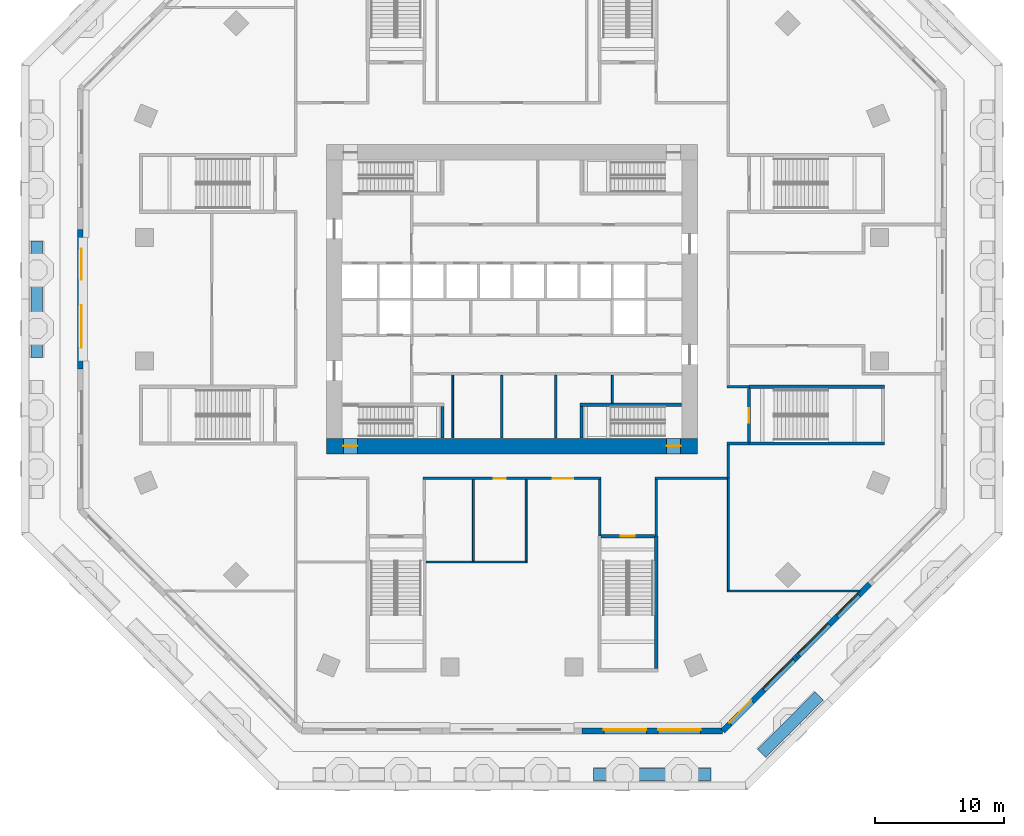
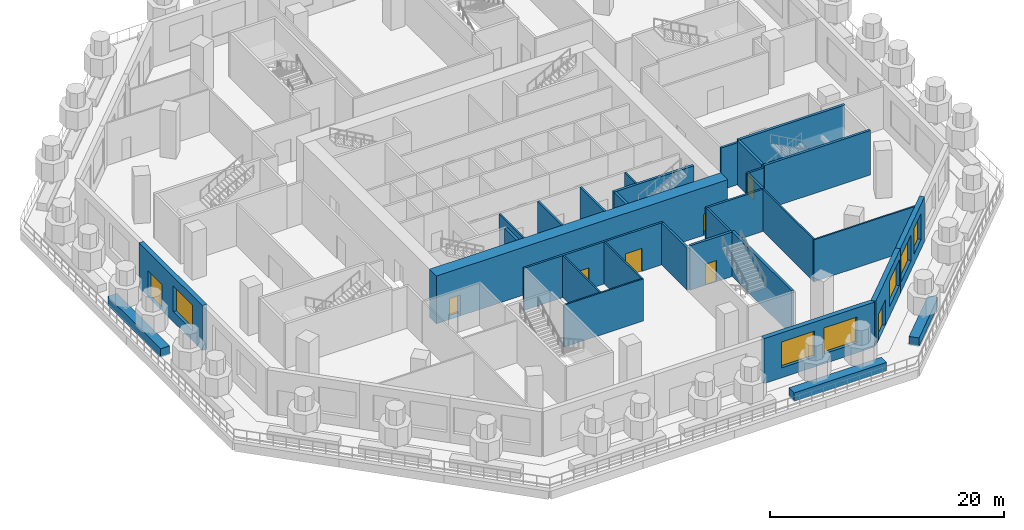
# One storey, part 4 of 13: 32 walls, 8 doors, 6 windows, 14 openings.
"""IFC4 building model written with IfcOpenShell, lengths in metres."""

from ifc_helpers import new_model, si_unit, direction, frame, frame_2d, origin, place, context, subcontext, project, spatial, rectangle, extrude, material, layer, layer_set, type_object, element, fill, save


model = new_model("IFC4")

# Units and contexts
model_context = context("Model", 3, precision=1e-05, world=origin(), true_north=direction((0.0, 1.0)))
body_context = subcontext(model_context, "Body", "Model", "MODEL_VIEW")
ifc_project = project(units=[si_unit("LENGTHUNIT", "METRE"), si_unit("AREAUNIT", "SQUARE_METRE"), si_unit("VOLUMEUNIT", "CUBIC_METRE"), si_unit("PLANEANGLEUNIT", "RADIAN"), si_unit("MASSUNIT", "GRAM", prefix="KILO")], contexts=[model_context])

# Site, building, storey
site_placement = place(None, origin())
site = spatial("IfcSite", under=ifc_project, at=site_placement, CompositionType="ELEMENT")
building_placement = place(site_placement, origin())
building = spatial("IfcBuilding", under=site, at=building_placement, Name="Msitu Wima Residences", CompositionType="ELEMENT")
storey_placement = place(building_placement, frame((0.0, 0.0, 16.0)))
storey = spatial("IfcBuildingStorey", under=building, at=storey_placement, Name="L03", CompositionType="ELEMENT", Elevation=16.0)

# Wall, openings, door, window
ifc_material_1 = material(Name="Brick (red buff mix), cavity wall of two leaves", Category="masonry")
ifc_layer_1 = layer(ifc_material_1, 0.449951171875)
ifc_layer_set_1 = layer_set([ifc_layer_1], Name="Brick (red buff mix), cavity wall of two leaves")
wall_type_1 = type_object("IfcWallType", Name="Brick infill wall BW450 podium", PredefinedType="ELEMENTEDWALL", material=ifc_layer_set_1)
wall_1_placement = place(storey_placement, frame((-33.52490234375, 5.42138671875, 0.0), z_axis=(0.0, 0.0, 1.0), x_axis=(0.0, -1.0, 0.0)))
wall_1 = element("IfcWall", 1, at=wall_1_placement, inside=storey, type_object=wall_type_1, Name="Brick infill wall L03 W1", PredefinedType="ELEMENTEDWALL", context=body_context, shape_type="SweptSolid", body=[
    extrude(rectangle(XDim=10.8427734375, YDim=0.449951171875, at=frame_2d((5.42138671875, 0.0))), origin(), (0.0, 0.0, 1.0), 4.699951171875),
])
opening_1_placement = place(wall_1_placement, frame((1.5107421875, 0.0, 0.0)))
opening_1 = element("IfcOpeningElement", 2, at=opening_1_placement, cuts=wall_1, Name="Opening D03.008", PredefinedType="OPENING", context=body_context, shape_type="SweptSolid", body=[
    extrude(rectangle(XDim=2.39990234375, YDim=2.699951171875, at=frame_2d((1.199951171875, 1.35009765625))), frame((0.0, 0.23486328125, 0.0), z_axis=(0.0, -1.0, 0.0), x_axis=(1.0, 0.0, 0.0)), (0.0, 0.0, 1.0), 0.469970703125),
])
opening_2_placement = place(wall_1_placement, frame((5.871337890625, 0.0, 1.050048828125)))
opening_2 = element("IfcOpeningElement", 3, at=opening_2_placement, cuts=wall_1, Name="Opening W03.038", PredefinedType="OPENING", context=body_context, shape_type="SweptSolid", body=[
    extrude(rectangle(XDim=3.300048828125, YDim=2.699951171875, at=frame_2d((1.64990234375, 1.35009765625))), frame((0.0, 0.23486328125, 0.0), z_axis=(0.0, -1.0, 0.0), x_axis=(1.0, 0.0, 0.0)), (0.0, 0.0, 1.0), 0.469970703125),
])
ifc_material_2 = material(Name="Anodised aluminium, bronze finish, clear low-emissivity double glazing", Category="aluminium")
door_type_1 = type_object("IfcDoorType", Name="Balcony door D2400x2700", OperationType="SLIDING_TO_LEFT", PredefinedType="DOOR", material=ifc_material_2)
door_1_placement = place(opening_1_placement, origin())
door_1 = element("IfcDoor", 4, at=door_1_placement, inside=storey, type_object=door_type_1, Name="Terrace door L03 W1", OperationType="SINGLE_SWING_LEFT", OverallHeight=2.699951171875, OverallWidth=2.39990234375, PredefinedType="DOOR", context=body_context, shape_type="SweptSolid", body=[
    extrude(rectangle(XDim=2.39990234375, YDim=2.699951171875, at=frame_2d((1.199951171875, 1.35009765625))), frame((0.0, 0.1298828125, 0.0), z_axis=(0.0, -1.0, 0.0), x_axis=(1.0, 0.0, 0.0)), (0.0, 0.0, 1.0), 0.050048828125),
])
fill(opening_1, door_1)
window_type_1 = type_object("IfcWindowType", Name="Window W3300x2700", PartitioningType="DOUBLE_PANEL_VERTICAL", PredefinedType="WINDOW", material=ifc_material_2)
window_1_placement = place(opening_2_placement, origin())
window_1 = element("IfcWindow", 5, at=window_1_placement, inside=storey, type_object=window_type_1, Name="Window L03 W1.2", OverallHeight=2.699951171875, OverallWidth=3.300048828125, PartitioningType="SINGLE_PANEL", PredefinedType="WINDOW", context=body_context, shape_type="SweptSolid", body=[
    extrude(rectangle(XDim=3.300048828125, YDim=2.699951171875, at=frame_2d((1.64990234375, 1.35009765625))), frame((0.0, 0.135009765625, 0.0), z_axis=(0.0, -1.0, 0.0), x_axis=(1.0, 0.0, 0.0)), (0.0, 0.0, 1.0), 0.06005859375),
])
fill(opening_2, window_1)

# Wall, openings, windows
wall_2_placement = place(storey_placement, frame((5.42138671875, -33.52490234375, 0.0), z_axis=(0.0, 0.0, 1.0), x_axis=(1.0, 0.0, 0.0)))
wall_2 = element("IfcWall", 6, at=wall_2_placement, inside=storey, type_object=wall_type_1, Name="Brick infill wall L03 S2", PredefinedType="ELEMENTEDWALL", context=body_context, shape_type="SweptSolid", body=[
    extrude(rectangle(XDim=10.935791015625, YDim=0.449951171875, at=frame_2d((5.4677734375, 0.0))), origin(), (0.0, 0.0, 1.0), 4.699951171875),
])
opening_3_placement = place(wall_2_placement, frame((1.718017578125, 0.0, 1.050048828125)))
opening_3 = element("IfcOpeningElement", 7, at=opening_3_placement, cuts=wall_2, Name="Opening W03.024", PredefinedType="OPENING", context=body_context, shape_type="SweptSolid", body=[
    extrude(rectangle(XDim=3.300048828125, YDim=2.699951171875, at=frame_2d((1.64990234375, 1.35009765625))), frame((0.0, 0.23486328125, 0.0), z_axis=(0.0, -1.0, 0.0), x_axis=(1.0, 0.0, 0.0)), (0.0, 0.0, 1.0), 0.469970703125),
])
opening_4_placement = place(wall_2_placement, frame((5.91796875, 0.0, 1.050048828125)))
opening_4 = element("IfcOpeningElement", 8, at=opening_4_placement, cuts=wall_2, Name="Opening W03.025", PredefinedType="OPENING", context=body_context, shape_type="SweptSolid", body=[
    extrude(rectangle(XDim=3.300048828125, YDim=2.699951171875, at=frame_2d((1.64990234375, 1.35009765625))), frame((0.0, 0.23486328125, 0.0), z_axis=(0.0, -1.0, 0.0), x_axis=(1.0, 0.0, 0.0)), (0.0, 0.0, 1.0), 0.469970703125),
])
window_2_placement = place(opening_3_placement, origin())
window_2 = element("IfcWindow", 9, at=window_2_placement, inside=storey, type_object=window_type_1, Name="Window L03 S2.1", OverallHeight=2.699951171875, OverallWidth=3.300048828125, PartitioningType="SINGLE_PANEL", PredefinedType="WINDOW", context=body_context, shape_type="SweptSolid", body=[
    extrude(rectangle(XDim=3.300048828125, YDim=2.699951171875, at=frame_2d((1.64990234375, 1.35009765625))), frame((0.0, 0.135009765625, 0.0), z_axis=(0.0, -1.0, 0.0), x_axis=(1.0, 0.0, 0.0)), (0.0, 0.0, 1.0), 0.06005859375),
])
fill(opening_3, window_2)
window_3_placement = place(opening_4_placement, origin())
window_3 = element("IfcWindow", 10, at=window_3_placement, inside=storey, type_object=window_type_1, Name="Window L03 S2.2", OverallHeight=2.699951171875, OverallWidth=3.300048828125, PartitioningType="SINGLE_PANEL", PredefinedType="WINDOW", context=body_context, shape_type="SweptSolid", body=[
    extrude(rectangle(XDim=3.300048828125, YDim=2.699951171875, at=frame_2d((1.64990234375, 1.35009765625))), frame((0.0, 0.135009765625, 0.0), z_axis=(0.0, -1.0, 0.0), x_axis=(1.0, 0.0, 0.0)), (0.0, 0.0, 1.0), 0.06005859375),
])
fill(opening_4, window_3)

# Wall, openings, door, window
wall_3_placement = place(storey_placement, frame((16.357177734375, -33.52490234375, 0.0), z_axis=(0.0, 0.0, 1.0), x_axis=(0.70712180699, 0.707091755064, 0.0)))
wall_3 = element("IfcWall", 11, at=wall_3_placement, inside=storey, type_object=wall_type_1, Name="Brick infill wall L03 SE0", PredefinedType="ELEMENTEDWALL", context=body_context, shape_type="SweptSolid", body=[
    extrude(rectangle(XDim=8.1240234375, YDim=0.449951171875, at=frame_2d((4.06201171875, 0.0))), origin(), (0.0, 0.0, 1.0), 4.699951171875),
])
opening_5_placement = place(wall_3_placement, frame((0.8310546875, 0.0, 0.0)))
opening_5 = element("IfcOpeningElement", 12, at=opening_5_placement, cuts=wall_3, Name="Opening D03.006", PredefinedType="OPENING", context=body_context, shape_type="SweptSolid", body=[
    extrude(rectangle(XDim=2.39990234375, YDim=2.699951171875, at=frame_2d((1.199951171875, 1.35009765625))), frame((0.0, 0.23486328125, 0.0), z_axis=(0.0, -1.0, 0.0), x_axis=(1.0, 0.0, 0.0)), (0.0, 0.0, 1.0), 0.469970703125),
])
opening_6_placement = place(wall_3_placement, frame((4.511962890625, 0.0, 1.050048828125)))
opening_6 = element("IfcOpeningElement", 13, at=opening_6_placement, cuts=wall_3, Name="Opening W03.026", PredefinedType="OPENING", context=body_context, shape_type="SweptSolid", body=[
    extrude(rectangle(XDim=3.300048828125, YDim=2.699951171875, at=frame_2d((1.64990234375, 1.35009765625))), frame((0.0, 0.23486328125, 0.0), z_axis=(0.0, -1.0, 0.0), x_axis=(1.0, 0.0, 0.0)), (0.0, 0.0, 1.0), 0.469970703125),
])
door_2_placement = place(opening_5_placement, origin())
door_2 = element("IfcDoor", 14, at=door_2_placement, inside=storey, type_object=door_type_1, Name="Terrace door L03 SE0", OperationType="SINGLE_SWING_LEFT", OverallHeight=2.699951171875, OverallWidth=2.39990234375, PredefinedType="DOOR", context=body_context, shape_type="SweptSolid", body=[
    extrude(rectangle(XDim=2.39990234375, YDim=2.699951171875, at=frame_2d((1.199951171875, 1.35009765625))), frame((0.0, 0.1298828125, 0.0), z_axis=(0.0, -1.0, 0.0), x_axis=(1.0, 0.0, 0.0)), (0.0, 0.0, 1.0), 0.050048828125),
])
fill(opening_5, door_2)
window_4_placement = place(opening_6_placement, origin())
window_4 = element("IfcWindow", 15, at=window_4_placement, inside=storey, type_object=window_type_1, Name="Window L03 SE0.2", OverallHeight=2.699951171875, OverallWidth=3.300048828125, PartitioningType="SINGLE_PANEL", PredefinedType="WINDOW", context=body_context, shape_type="SweptSolid", body=[
    extrude(rectangle(XDim=3.300048828125, YDim=2.699951171875, at=frame_2d((1.64990234375, 1.35009765625))), frame((0.0, 0.135009765625, 0.0), z_axis=(0.0, -1.0, 0.0), x_axis=(1.0, 0.0, 0.0)), (0.0, 0.0, 1.0), 0.06005859375),
])
fill(opening_6, window_4)

# Wall, openings, windows
wall_4_placement = place(storey_placement, frame((22.101806640625, -27.780517578125, 0.0), z_axis=(0.0, 0.0, 1.0), x_axis=(0.707106781187, 0.707106781187, 0.0)))
wall_4 = element("IfcWall", 16, at=wall_4_placement, inside=storey, type_object=wall_type_1, Name="Brick infill wall L03 SE1", PredefinedType="ELEMENTEDWALL", context=body_context, shape_type="SweptSolid", body=[
    extrude(rectangle(XDim=8.031005859375, YDim=0.449951171875, at=frame_2d((4.015625, 0.0))), origin(), (0.0, 0.0, 1.0), 4.699951171875),
])
opening_7_placement = place(wall_4_placement, frame((0.265380859375, 0.0, 1.050048828125)))
opening_7 = element("IfcOpeningElement", 17, at=opening_7_placement, cuts=wall_4, Name="Opening W03.027", PredefinedType="OPENING", context=body_context, shape_type="SweptSolid", body=[
    extrude(rectangle(XDim=3.300048828125, YDim=2.699951171875, at=frame_2d((1.64990234375, 1.35009765625))), frame((0.0, 0.23486328125, 0.0), z_axis=(0.0, -1.0, 0.0), x_axis=(1.0, 0.0, 0.0)), (0.0, 0.0, 1.0), 0.469970703125),
])
opening_8_placement = place(wall_4_placement, frame((4.46533203125, 0.0, 1.050048828125)))
opening_8 = element("IfcOpeningElement", 18, at=opening_8_placement, cuts=wall_4, Name="Opening W03.028", PredefinedType="OPENING", context=body_context, shape_type="SweptSolid", body=[
    extrude(rectangle(XDim=2.360107421875, YDim=2.699951171875, at=frame_2d((1.18017578125, 1.35009765625))), frame((0.0, 0.23486328125, 0.0), z_axis=(0.0, -1.0, 0.0), x_axis=(1.0, 0.0, 0.0)), (0.0, 0.0, 1.0), 0.469970703125),
])
window_type_2 = type_object("IfcWindowType", Name="Window W2360x2700", PartitioningType="DOUBLE_PANEL_VERTICAL", PredefinedType="WINDOW", material=ifc_material_2)
window_5_placement = place(opening_8_placement, origin())
window_5 = element("IfcWindow", 19, at=window_5_placement, inside=storey, type_object=window_type_2, Name="Window L03 SE1.2a", OverallHeight=2.699951171875, OverallWidth=2.360107421875, PartitioningType="SINGLE_PANEL", PredefinedType="WINDOW", context=body_context, shape_type="SweptSolid", body=[
    extrude(rectangle(XDim=2.360107421875, YDim=2.699951171875, at=frame_2d((1.18017578125, 1.35009765625))), frame((0.0, 0.135009765625, 0.0), z_axis=(0.0, -1.0, 0.0), x_axis=(1.0, 0.0, 0.0)), (0.0, 0.0, 1.0), 0.06005859375),
])
fill(opening_8, window_5)
window_6_placement = place(opening_7_placement, origin())
window_6 = element("IfcWindow", 20, at=window_6_placement, inside=storey, type_object=window_type_1, Name="Window L03 SE1.1", OverallHeight=2.699951171875, OverallWidth=3.300048828125, PartitioningType="SINGLE_PANEL", PredefinedType="WINDOW", context=body_context, shape_type="SweptSolid", body=[
    extrude(rectangle(XDim=3.300048828125, YDim=2.699951171875, at=frame_2d((1.64990234375, 1.35009765625))), frame((0.0, 0.135009765625, 0.0), z_axis=(0.0, -1.0, 0.0), x_axis=(1.0, 0.0, 0.0)), (0.0, 0.0, 1.0), 0.06005859375),
])
fill(opening_7, window_6)

# Wall, openings, doors
ifc_material_3 = material(Name="Concrete C80/95", Category="concrete")
ifc_layer_2 = layer(ifc_material_3, 1.199951171875)
ifc_layer_set_2 = layer_set([ifc_layer_2], Name="Concrete C80/95")
wall_type_2 = type_object("IfcWallType", Name="Core wall CW1200 C80/95", PredefinedType="SHEAR", material=ifc_layer_set_2)
wall_5_placement = place(storey_placement, frame((-14.39990234375, -11.39990234375, 0.0), z_axis=(0.0, 0.0, 1.0), x_axis=(1.0, 0.0, 0.0)))
wall_5 = element("IfcWall", 21, at=wall_5_placement, inside=storey, type_object=wall_type_2, Name="Core wall", PredefinedType="SHEAR", context=body_context, shape_type="SweptSolid", body=[
    extrude(rectangle(XDim=28.7998046875, YDim=1.199951171875, at=frame_2d((14.39990234375, 0.0))), origin(), (0.0, 0.0, 1.0), 5.0),
])
opening_9_placement = place(wall_5_placement, frame((1.300048828125, 0.0, 0.0)))
opening_9 = element("IfcOpeningElement", 22, at=opening_9_placement, cuts=wall_5, Name="Opening D03.053", PredefinedType="OPENING", context=body_context, shape_type="SweptSolid", body=[
    extrude(rectangle(XDim=1.10009765625, YDim=2.199951171875, at=frame_2d((0.550048828125, 1.10009765625))), frame((0.0, 0.60986328125, 0.0), z_axis=(0.0, -1.0, 0.0), x_axis=(1.0, 0.0, 0.0)), (0.0, 0.0, 1.0), 1.219970703125),
])
opening_10_placement = place(wall_5_placement, frame((26.39990234375, 0.0, 0.0)))
opening_10 = element("IfcOpeningElement", 23, at=opening_10_placement, cuts=wall_5, Name="Opening D03.055", PredefinedType="OPENING", context=body_context, shape_type="SweptSolid", body=[
    extrude(rectangle(XDim=1.10009765625, YDim=2.199951171875, at=frame_2d((0.550048828125, 1.10009765625))), frame((0.0, 0.60986328125, 0.0), z_axis=(0.0, -1.0, 0.0), x_axis=(1.0, 0.0, 0.0)), (0.0, 0.0, 1.0), 1.219970703125),
])
ifc_material_4 = material(Name="Steel door, fire resisting, panic bar", Category="steel")
door_type_2 = type_object("IfcDoorType", Name="Stair door D06 1100x2200", OperationType="SINGLE_SWING_LEFT", PredefinedType="DOOR", material=ifc_material_4)
door_3_placement = place(opening_9_placement, origin())
door_3 = element("IfcDoor", 24, at=door_3_placement, inside=storey, type_object=door_type_2, Name="Stair door", OperationType="SINGLE_SWING_LEFT", OverallHeight=2.199951171875, OverallWidth=1.10009765625, PredefinedType="DOOR", context=body_context, shape_type="SweptSolid", body=[
    extrude(rectangle(XDim=1.10009765625, YDim=2.199951171875, at=frame_2d((0.550048828125, 1.10009765625))), frame((0.0, 0.02490234375, 0.0), z_axis=(0.0, -1.0, 0.0), x_axis=(1.0, 0.0, 0.0)), (0.0, 0.0, 1.0), 0.050048828125),
])
fill(opening_9, door_3)
door_4_placement = place(opening_10_placement, origin())
door_4 = element("IfcDoor", 25, at=door_4_placement, inside=storey, type_object=door_type_2, Name="Stair door", OperationType="SINGLE_SWING_RIGHT", OverallHeight=2.199951171875, OverallWidth=1.10009765625, PredefinedType="DOOR", context=body_context, shape_type="SweptSolid", body=[
    extrude(rectangle(XDim=1.10009765625, YDim=2.199951171875, at=frame_2d((0.550048828125, 1.10009765625))), frame((0.0, 0.02490234375, 0.0), z_axis=(0.0, -1.0, 0.0), x_axis=(1.0, 0.0, 0.0)), (0.0, 0.0, 1.0), 0.050048828125),
])
fill(opening_10, door_4)

ifc_material_5 = material(Name="Plaster")
ifc_layer_3 = layer(ifc_material_5, 0.011962890625, Name="Plaster")
ifc_material_6 = material(Name="Concrete blockwork", Category="masonry")
ifc_layer_4 = layer(ifc_material_6, 0.176025390625, Name="Concrete blockwork")
ifc_layer_5 = layer(ifc_material_5, 0.011962890625, Name="Plaster")
ifc_layer_set_3 = layer_set([ifc_layer_3, ifc_layer_4, ifc_layer_5], Name="Concrete blockwork")
wall_type_3 = type_object("IfcWallType", Name="Corridor wall FW200", PredefinedType="PARTITIONING", material=ifc_layer_set_3)
wall_6_placement = place(storey_placement, frame((-6.89990234375, -13.91357421875, 0.0), z_axis=(0.0, 0.0, 1.0), x_axis=(1.0, 0.0, 0.0)))
wall_6 = element("IfcWall", 26, at=wall_6_placement, inside=storey, type_object=wall_type_3, Name="Corridor wall", PredefinedType="PARTITIONING", context=body_context, shape_type="SweptSolid", body=[
    extrude(rectangle(XDim=13.7998046875, YDim=0.199951171875, at=frame_2d((6.89990234375, 0.0))), origin(), (0.0, 0.0, 1.0), 4.39990234375),
])
opening_11_placement = place(wall_6_placement, frame((5.5, 0.0, 0.0)))
opening_11 = element("IfcOpeningElement", 27, at=opening_11_placement, cuts=wall_6, Name="Opening D03.038", PredefinedType="OPENING", context=body_context, shape_type="SweptSolid", body=[
    extrude(rectangle(XDim=0.89990234375, YDim=2.199951171875, at=frame_2d((0.449951171875, 1.10009765625))), frame((0.0, 0.10986328125, 0.0), z_axis=(0.0, -1.0, 0.0), x_axis=(1.0, 0.0, 0.0)), (0.0, 0.0, 1.0), 0.219970703125),
])
opening_12_placement = place(wall_6_placement, frame((10.050048828125, 0.0, 0.0)))
opening_12 = element("IfcOpeningElement", 28, at=opening_12_placement, cuts=wall_6, Name="Opening D03.039", PredefinedType="OPENING", context=body_context, shape_type="SweptSolid", body=[
    extrude(rectangle(XDim=1.60009765625, YDim=2.39990234375, at=frame_2d((0.800048828125, 1.199951171875))), frame((0.0, 0.10986328125, 0.0), z_axis=(0.0, -1.0, 0.0), x_axis=(1.0, 0.0, 0.0)), (0.0, 0.0, 1.0), 0.219970703125),
])
ifc_material_7 = material(Name="Black aluminium glazed door", Category="aluminium")
door_type_3 = type_object("IfcDoorType", Name="Amenity door D10 1600x2400", OperationType="DOUBLE_DOOR_SINGLE_SWING", PredefinedType="DOOR", material=ifc_material_7)
door_5_placement = place(opening_12_placement, origin())
door_5 = element("IfcDoor", 29, at=door_5_placement, inside=storey, type_object=door_type_3, Name="Amenity door", OperationType="DOUBLE_DOOR_SINGLE_SWING", OverallHeight=2.39990234375, OverallWidth=1.60009765625, PredefinedType="DOOR", context=body_context, shape_type="SweptSolid", body=[
    extrude(rectangle(XDim=1.60009765625, YDim=2.39990234375, at=frame_2d((0.800048828125, 1.199951171875))), frame((0.0, 0.02490234375, 0.0), z_axis=(0.0, -1.0, 0.0), x_axis=(1.0, 0.0, 0.0)), (0.0, 0.0, 1.0), 0.050048828125),
])
fill(opening_12, door_5)
ifc_material_8 = material(Name="Timber flush door, moisture resistant", Category="wood")
door_type_4 = type_object("IfcDoorType", Name="Bathroom door D03 900x2200", OperationType="SINGLE_SWING_LEFT", PredefinedType="DOOR", material=ifc_material_8)
door_6_placement = place(opening_11_placement, origin())
door_6 = element("IfcDoor", 30, at=door_6_placement, inside=storey, type_object=door_type_4, Name="Bathroom door", OperationType="SINGLE_SWING_RIGHT", OverallHeight=2.199951171875, OverallWidth=0.89990234375, PredefinedType="DOOR", context=body_context, shape_type="SweptSolid", body=[
    extrude(rectangle(XDim=0.89990234375, YDim=2.199951171875, at=frame_2d((0.449951171875, 1.10009765625))), frame((0.0, 0.02490234375, 0.0), z_axis=(0.0, -1.0, 0.0), x_axis=(1.0, 0.0, 0.0)), (0.0, 0.0, 1.0), 0.050048828125),
])
fill(opening_11, door_6)

# Walls
for number, where, z_axis, x_axis, name in (
    (31, (6.800048828125, -18.39990234375, 0.0), (0.0, 0.0, 1.0), (0.0, 1.0, 0.0), "Corridor wall"),
    (32, (11.199951171875, -18.39990234375, 0.0), (0.0, 0.0, 1.0), (0.0, 1.0, 0.0), "Corridor wall"),
):
    element("IfcWall", number, at=place(storey_placement, frame(where, z_axis=z_axis, x_axis=x_axis)), inside=storey, type_object=wall_type_3, Name=name, PredefinedType="PARTITIONING", context=body_context, shape_type="SweptSolid", body=[
        extrude(rectangle(XDim=4.386474609375, YDim=0.199951171875, at=frame_2d((2.193359375, 0.0))), origin(), (0.0, 0.0, 1.0), 4.39990234375),
    ])
wall_7_placement = place(storey_placement, frame((11.10009765625, -13.91357421875, 0.0), z_axis=(0.0, 0.0, 1.0), x_axis=(1.0, 0.0, 0.0)))
element("IfcWall", 33, at=wall_7_placement, inside=storey, type_object=wall_type_3, Name="Corridor wall", PredefinedType="PARTITIONING", context=body_context, shape_type="SweptSolid", body=[
    extrude(rectangle(XDim=5.599853515625, YDim=0.199951171875, at=frame_2d((2.7998046875, 0.0))), origin(), (0.0, 0.0, 1.0), 4.39990234375),
])
wall_8_placement = place(storey_placement, frame((16.800048828125, -13.8935546875, 0.0), z_axis=(0.0, 0.0, 1.0), x_axis=(0.0, 1.0, 0.0)))
element("IfcWall", 34, at=wall_8_placement, inside=storey, type_object=wall_type_3, Name="Corridor wall", PredefinedType="PARTITIONING", context=body_context, shape_type="SweptSolid", body=[
    extrude(rectangle(XDim=2.593505859375, YDim=0.199951171875, at=frame_2d((1.296875, 0.0))), origin(), (0.0, 0.0, 1.0), 4.39990234375),
])
for number, where, z_axis, x_axis, name in (
    (35, (16.699951171875, -11.199951171875, 0.0), (0.0, 0.0, 1.0), (1.0, 0.0, 0.0), "Corridor wall"),
    (36, (16.699951171875, -6.800048828125, 0.0), (0.0, 0.0, 1.0), (1.0, 0.0, 0.0), "Corridor wall"),
):
    element("IfcWall", number, at=place(storey_placement, frame(where, z_axis=z_axis, x_axis=x_axis)), inside=storey, type_object=wall_type_3, Name=name, PredefinedType="PARTITIONING", context=body_context, shape_type="SweptSolid", body=[
        extrude(rectangle(XDim=1.699951171875, YDim=0.199951171875, at=frame_2d((0.85009765625, 0.0))), origin(), (0.0, 0.0, 1.0), 4.39990234375),
    ])
ifc_layer_6 = layer(ifc_material_5, 0.011962890625, Name="Plaster")
ifc_layer_7 = layer(ifc_material_6, 0.1259765625, Name="Concrete blockwork")
ifc_layer_8 = layer(ifc_material_5, 0.011962890625, Name="Plaster")
ifc_layer_set_4 = layer_set([ifc_layer_6, ifc_layer_7, ifc_layer_8], Name="Concrete blockwork")
wall_type_4 = type_object("IfcWallType", Name="Partition PW150", PredefinedType="PARTITIONING", material=ifc_layer_set_4)
wall_9_placement = place(storey_placement, frame((-6.675048828125, -20.39990234375, 0.0), z_axis=(0.0, 0.0, 1.0), x_axis=(1.0, 0.0, 0.0)))
element("IfcWall", 37, at=wall_9_placement, inside=storey, type_object=wall_type_4, Name="Partition", PredefinedType="PARTITIONING", context=body_context, shape_type="SweptSolid", body=[
    extrude(rectangle(XDim=7.85009765625, YDim=0.14990234375, at=frame_2d((3.925048828125, 0.0))), origin(), (0.0, 0.0, 1.0), 4.39990234375),
])
wall_10_placement = place(storey_placement, frame((-4.60009765625, -10.77001953125, 0.0), z_axis=(0.0, 0.0, 1.0), x_axis=(0.0, 1.0, 0.0)))
element("IfcWall", 38, at=wall_10_placement, inside=storey, type_object=wall_type_4, Name="Partition", PredefinedType="PARTITIONING", context=body_context, shape_type="SweptSolid", body=[
    extrude(rectangle(XDim=4.8701171875, YDim=0.14990234375, at=frame_2d((2.43505859375, 0.0))), origin(), (0.0, 0.0, 1.0), 4.39990234375),
])
for number, where, z_axis, x_axis, name in (
    (39, (-3.0, -20.324951171875, 0.0), (0.0, 0.0, 1.0), (0.0, 1.0, 0.0), "Partition"),
    (40, (1.10009765625, -20.324951171875, 0.0), (0.0, 0.0, 1.0), (0.0, 1.0, 0.0), "Partition"),
):
    element("IfcWall", number, at=place(storey_placement, frame(where, z_axis=z_axis, x_axis=x_axis)), inside=storey, type_object=wall_type_4, Name=name, PredefinedType="PARTITIONING", context=body_context, shape_type="SweptSolid", body=[
        extrude(rectangle(XDim=6.3115234375, YDim=0.14990234375, at=frame_2d((3.15576171875, 0.0))), origin(), (0.0, 0.0, 1.0), 4.39990234375),
    ])
wall_11_placement = place(storey_placement, frame((7.800048828125, -8.074951171875, 0.0), z_axis=(0.0, 0.0, 1.0), x_axis=(0.0, 1.0, 0.0)))
element("IfcWall", 41, at=wall_11_placement, inside=storey, type_object=wall_type_4, Name="Partition", PredefinedType="PARTITIONING", context=body_context, shape_type="SweptSolid", body=[
    extrude(rectangle(XDim=2.175048828125, YDim=0.14990234375, at=frame_2d((1.08740234375, 0.0))), origin(), (0.0, 0.0, 1.0), 4.39990234375),
])
wall_12_placement = place(storey_placement, frame((16.800048828125, -22.580810546875, 0.0), z_axis=(0.0, 0.0, 1.0), x_axis=(0.0, 1.0, 0.0)))
element("IfcWall", 42, at=wall_12_placement, inside=storey, type_object=wall_type_4, Name="Partition", PredefinedType="PARTITIONING", context=body_context, shape_type="SweptSolid", body=[
    extrude(rectangle(XDim=8.687255859375, YDim=0.14990234375, at=frame_2d((4.34375, 0.0))), origin(), (0.0, 0.0, 1.0), 4.39990234375),
])
wall_13_placement = place(storey_placement, frame((16.72509765625, -22.65576171875, 0.0), z_axis=(0.0, 0.0, 1.0), x_axis=(1.0, 0.0, 0.0)))
element("IfcWall", 43, at=wall_13_placement, inside=storey, type_object=wall_type_4, Name="Partition", PredefinedType="PARTITIONING", context=body_context, shape_type="SweptSolid", body=[
    extrude(rectangle(XDim=10.2607421875, YDim=0.14990234375, at=frame_2d((5.13037109375, 0.0))), origin(), (0.0, 0.0, 1.0), 4.39990234375),
])
ifc_layer_9 = layer(ifc_material_5, 0.011962890625, Name="Plaster")
ifc_material_9 = material(Name="Reinforced concrete blockwork", Category="masonry")
ifc_layer_10 = layer(ifc_material_9, 0.176025390625, Name="Reinforced concrete blockwork")
ifc_layer_11 = layer(ifc_material_5, 0.011962890625, Name="Plaster")
ifc_layer_set_5 = layer_set([ifc_layer_9, ifc_layer_10, ifc_layer_11], Name="Reinforced concrete blockwork")
wall_type_5 = type_object("IfcWallType", Name="Plant and riser wall PL200", PredefinedType="PARTITIONING", material=ifc_layer_set_5)
for number, where, z_axis, x_axis, name in (
    (44, (-0.800048828125, -10.77001953125, 0.0), (0.0, 0.0, 1.0), (0.0, 1.0, 0.0), "Plant and riser wall"),
    (45, (3.39990234375, -10.77001953125, 0.0), (0.0, 0.0, 1.0), (0.0, 1.0, 0.0), "Plant and riser wall"),
):
    element("IfcWall", number, at=place(storey_placement, frame(where, z_axis=z_axis, x_axis=x_axis)), inside=storey, type_object=wall_type_5, Name=name, PredefinedType="PARTITIONING", context=body_context, shape_type="SweptSolid", body=[
        extrude(rectangle(XDim=4.8701171875, YDim=0.199951171875, at=frame_2d((2.43505859375, 0.0))), origin(), (0.0, 0.0, 1.0), 4.39990234375),
    ])
ifc_material_10 = material(Name="Concrete C50/60", Category="concrete")
ifc_layer_12 = layer(ifc_material_10, 0.25)
ifc_layer_set_6 = layer_set([ifc_layer_12], Name="Concrete C50/60")
wall_type_6 = type_object("IfcWallType", Name="Stair enclosure wall SW250", PredefinedType="SHEAR", material=ifc_layer_set_6)
for number, where, z_axis, x_axis, name in (
    (46, (-5.39990234375, -10.77001953125, 0.0), (0.0, 0.0, 1.0), (0.0, 1.0, 0.0), "Stair enclosure wall"),
    (47, (5.39990234375, -10.77001953125, 0.0), (0.0, 0.0, 1.0), (0.0, 1.0, 0.0), "Stair enclosure wall"),
):
    element("IfcWall", number, at=place(storey_placement, frame(where, z_axis=z_axis, x_axis=x_axis)), inside=storey, type_object=wall_type_6, Name=name, PredefinedType="SHEAR", context=body_context, shape_type="SweptSolid", body=[
        extrude(rectangle(XDim=2.445068359375, YDim=0.25, at=frame_2d((1.22265625, 0.0))), origin(), (0.0, 0.0, 1.0), 4.64990234375),
    ])
wall_14_placement = place(storey_placement, frame((5.27490234375, -8.199951171875, 0.0), z_axis=(0.0, 0.0, 1.0), x_axis=(1.0, 0.0, 0.0)))
element("IfcWall", 48, at=wall_14_placement, inside=storey, type_object=wall_type_6, Name="Stair enclosure wall", PredefinedType="SHEAR", context=body_context, shape_type="SweptSolid", body=[
    extrude(rectangle(XDim=7.89501953125, YDim=0.25, at=frame_2d((3.947509765625, 0.0))), origin(), (0.0, 0.0, 1.0), 4.64990234375),
])

# Wall, opening, door
wall_15_placement = place(storey_placement, frame((6.925048828125, -18.39990234375, 0.0), z_axis=(0.0, 0.0, 1.0), x_axis=(1.0, 0.0, 0.0)))
wall_15 = element("IfcWall", 49, at=wall_15_placement, inside=storey, type_object=wall_type_6, Name="Stair enclosure wall", PredefinedType="SHEAR", context=body_context, shape_type="SweptSolid", body=[
    extrude(rectangle(XDim=4.14990234375, YDim=0.25, at=frame_2d((2.074951171875, 0.0))), origin(), (0.0, 0.0, 1.0), 4.64990234375),
])
opening_13_placement = place(wall_15_placement, frame((1.5, 0.0, 0.0)))
opening_13 = element("IfcOpeningElement", 50, at=opening_13_placement, cuts=wall_15, Name="Opening D03.046", PredefinedType="OPENING", context=body_context, shape_type="SweptSolid", body=[
    extrude(rectangle(XDim=1.10009765625, YDim=2.199951171875, at=frame_2d((0.550048828125, 1.10009765625))), frame((0.0, 0.135009765625, 0.0), z_axis=(0.0, -1.0, 0.0), x_axis=(1.0, 0.0, 0.0)), (0.0, 0.0, 1.0), 0.27001953125),
])
door_type_5 = type_object("IfcDoorType", Name="Stair door D13 1100x2200", OperationType="SINGLE_SWING_LEFT", PredefinedType="DOOR", material=ifc_material_4)
door_7_placement = place(opening_13_placement, origin())
door_7 = element("IfcDoor", 51, at=door_7_placement, inside=storey, type_object=door_type_5, Name="Stair door", OperationType="SINGLE_SWING_RIGHT", OverallHeight=2.199951171875, OverallWidth=1.10009765625, PredefinedType="DOOR", context=body_context, shape_type="SweptSolid", body=[
    extrude(rectangle(XDim=1.10009765625, YDim=2.199951171875, at=frame_2d((0.550048828125, 1.10009765625))), frame((0.0, 0.02490234375, 0.0), z_axis=(0.0, -1.0, 0.0), x_axis=(1.0, 0.0, 0.0)), (0.0, 0.0, 1.0), 0.050048828125),
])
fill(opening_13, door_7)

# Wall
wall_16_placement = place(storey_placement, frame((11.199951171875, -28.675048828125, 0.0), z_axis=(0.0, 0.0, 1.0), x_axis=(0.0, 1.0, 0.0)))
element("IfcWall", 52, at=wall_16_placement, inside=storey, type_object=wall_type_6, Name="Stair enclosure wall", PredefinedType="SHEAR", context=body_context, shape_type="SweptSolid", body=[
    extrude(rectangle(XDim=10.275146484375, YDim=0.25, at=frame_2d((5.1376953125, 0.0))), origin(), (0.0, 0.0, 1.0), 4.64990234375),
])

# Wall, opening, door
wall_17_placement = place(storey_placement, frame((18.39990234375, -11.074951171875, 0.0), z_axis=(0.0, 0.0, 1.0), x_axis=(0.0, 1.0, 0.0)))
wall_17 = element("IfcWall", 53, at=wall_17_placement, inside=storey, type_object=wall_type_6, Name="Stair enclosure wall", PredefinedType="SHEAR", context=body_context, shape_type="SweptSolid", body=[
    extrude(rectangle(XDim=4.14990234375, YDim=0.25, at=frame_2d((2.074951171875, 0.0))), origin(), (0.0, 0.0, 1.0), 4.64990234375),
])
opening_14_placement = place(wall_17_placement, frame((1.5, 0.0, 0.0)))
opening_14 = element("IfcOpeningElement", 54, at=opening_14_placement, cuts=wall_17, Name="Opening D03.041", PredefinedType="OPENING", context=body_context, shape_type="SweptSolid", body=[
    extrude(rectangle(XDim=1.10009765625, YDim=2.199951171875, at=frame_2d((0.550048828125, 1.10009765625))), frame((0.0, 0.135009765625, 0.0), z_axis=(0.0, -1.0, 0.0), x_axis=(1.0, 0.0, 0.0)), (0.0, 0.0, 1.0), 0.27001953125),
])
door_8_placement = place(opening_14_placement, origin())
door_8 = element("IfcDoor", 55, at=door_8_placement, inside=storey, type_object=door_type_5, Name="Stair door", OperationType="SINGLE_SWING_RIGHT", OverallHeight=2.199951171875, OverallWidth=1.10009765625, PredefinedType="DOOR", context=body_context, shape_type="SweptSolid", body=[
    extrude(rectangle(XDim=1.10009765625, YDim=2.199951171875, at=frame_2d((0.550048828125, 1.10009765625))), frame((0.0, 0.02490234375, 0.0), z_axis=(0.0, -1.0, 0.0), x_axis=(1.0, 0.0, 0.0)), (0.0, 0.0, 1.0), 0.050048828125),
])
fill(opening_14, door_8)

# Walls
for number, where, z_axis, x_axis, name in (
    (56, (18.39990234375, -11.199951171875, 0.0), (0.0, 0.0, 1.0), (1.0, 0.0, 0.0), "Stair enclosure wall"),
    (57, (18.39990234375, -6.800048828125, 0.0), (0.0, 0.0, 1.0), (1.0, 0.0, 0.0), "Stair enclosure wall"),
):
    element("IfcWall", number, at=place(storey_placement, frame(where, z_axis=z_axis, x_axis=x_axis)), inside=storey, type_object=wall_type_6, Name=name, PredefinedType="SHEAR", context=body_context, shape_type="SweptSolid", body=[
        extrude(rectangle(XDim=10.525146484375, YDim=0.25, at=frame_2d((5.2626953125, 0.0))), origin(), (0.0, 0.0, 1.0), 4.64990234375),
    ])
ifc_material_11 = material(Name="Facing brick")
ifc_layer_13 = layer(ifc_material_11, 0.06494140625, Name="Facing brick")
ifc_material_12 = material(Name="Concrete C40/50", Category="concrete")
ifc_layer_14 = layer(ifc_material_12, 0.381103515625, Name="Concrete C40/50")
ifc_material_13 = material(Name="Waterproofing membrane")
ifc_layer_15 = layer(ifc_material_13, 0.00390625, Name="Waterproofing membrane")
ifc_material_14 = material(Name="Planting soil and planting")
ifc_layer_16 = layer(ifc_material_14, 0.449951171875, Name="Planting soil and planting")
ifc_layer_set_7 = layer_set([ifc_layer_13, ifc_layer_14, ifc_layer_15, ifc_layer_16], Name="Concrete C40/50")
wall_type_7 = type_object("IfcWallType", Name="Terrace planter PLANTER PL900", PredefinedType="USERDEFINED", material=ifc_layer_set_7)
wall_18_placement = place(storey_placement, frame((-36.89990234375, 4.521240234375, 0.0), z_axis=(0.0, 0.0, 1.0), x_axis=(0.0, -1.0, 0.0)))
element("IfcWall", 58, at=wall_18_placement, inside=storey, type_object=wall_type_7, Name="Terrace planter L03 W1", ObjectType="PLANTER", PredefinedType="USERDEFINED", context=body_context, shape_type="SweptSolid", body=[
    extrude(rectangle(XDim=9.04248046875, YDim=0.89990234375, at=frame_2d((4.521240234375, 0.0))), origin(), (0.0, 0.0, 1.0), 0.89990234375),
])
wall_19_placement = place(storey_placement, frame((6.3212890625, -36.89990234375, 0.0), z_axis=(0.0, 0.0, 1.0), x_axis=(1.0, 0.0, 0.0)))
element("IfcWall", 59, at=wall_19_placement, inside=storey, type_object=wall_type_7, Name="Terrace planter L03 S2", ObjectType="PLANTER", PredefinedType="USERDEFINED", context=body_context, shape_type="SweptSolid", body=[
    extrude(rectangle(XDim=9.135986328125, YDim=0.89990234375, at=frame_2d((4.56787109375, 0.0))), origin(), (0.0, 0.0, 1.0), 0.89990234375),
])
wall_20_placement = place(storey_placement, frame((19.380126953125, -35.275146484375, 0.0), z_axis=(0.0, 0.0, 1.0), x_axis=(0.70708747847, 0.707126083377, 0.0)))
element("IfcWall", 60, at=wall_20_placement, inside=storey, type_object=wall_type_7, Name="Terrace planter L03 SE0", ObjectType="PLANTER", PredefinedType="USERDEFINED", context=body_context, shape_type="SweptSolid", body=[
    extrude(rectangle(XDim=6.323974609375, YDim=0.89990234375, at=frame_2d((3.162109375, 0.0))), origin(), (0.0, 0.0, 1.0), 0.89990234375),
])

save(model, "model.ifc")
